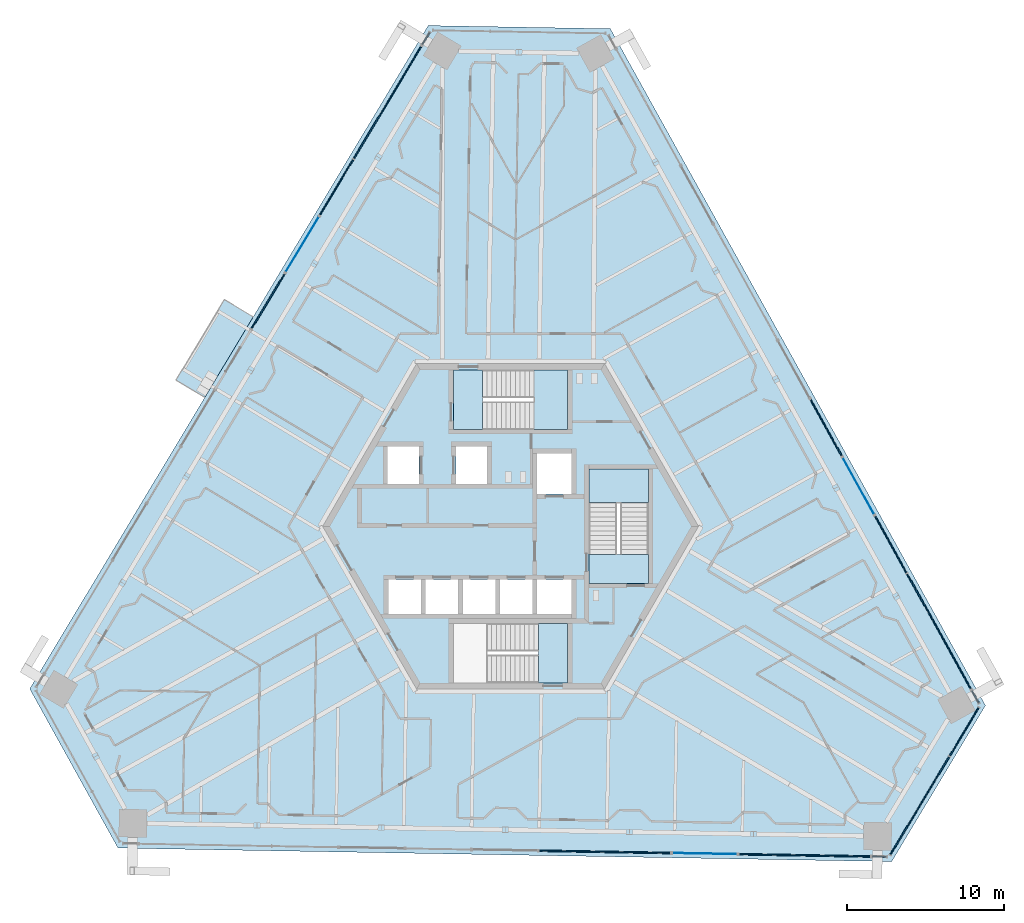
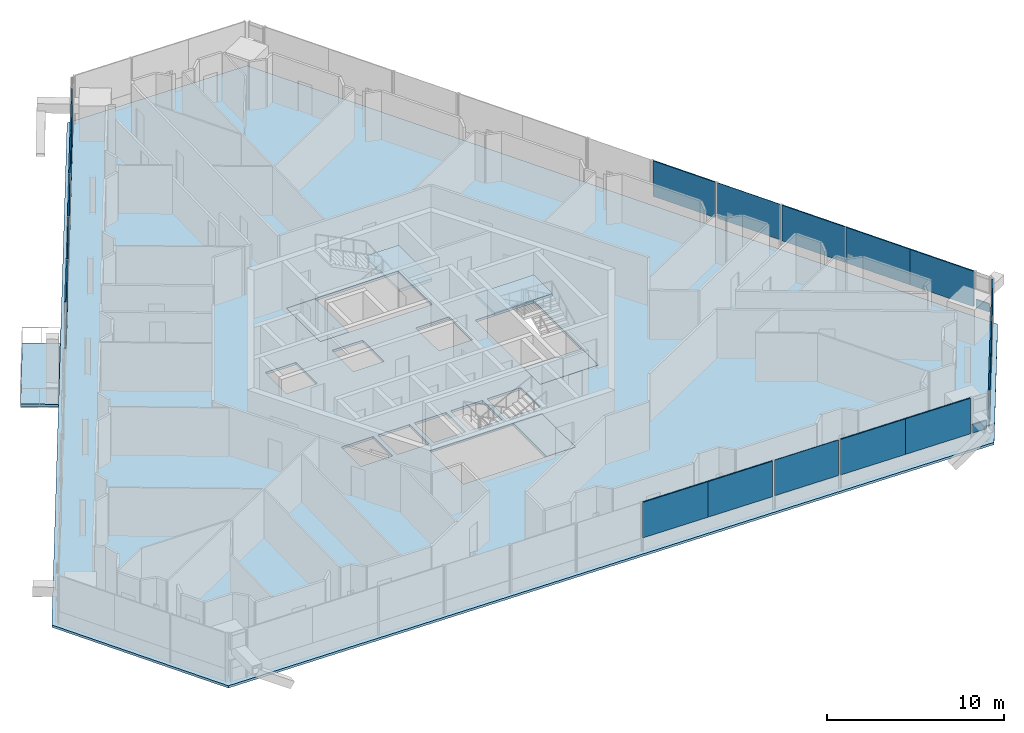
# One storey, part 12 of 24: 21 plates, 7 slabs, 16 elements without a shape of their own.
"""IFC4 building model written with IfcOpenShell, lengths in metres."""

from ifc_helpers import new_model, si_unit, direction, frame, origin, origin_2d, place, context, subcontext, project, spatial, polyline, rectangle, outline, extrude, source, transform, mapped, material, layer, layer_set, type_object, element, aggregate, save


model = new_model("IFC4")

# Units and contexts
model_context = context("Model", 3, precision=1e-05, world=origin(), true_north=direction((0.0, 1.0)))
body_context = subcontext(model_context, "Body", "Model", "MODEL_VIEW")
ifc_project = project(units=[si_unit("LENGTHUNIT", "METRE"), si_unit("AREAUNIT", "SQUARE_METRE"), si_unit("VOLUMEUNIT", "CUBIC_METRE"), si_unit("PLANEANGLEUNIT", "RADIAN"), si_unit("MASSUNIT", "GRAM", prefix="KILO")], contexts=[model_context])

# Site, building, storey
site_placement = place(None, origin())
site = spatial("IfcSite", under=ifc_project, at=site_placement, CompositionType="ELEMENT")
building_placement = place(site_placement, origin())
building = spatial("IfcBuilding", under=site, at=building_placement, Name="Triune Harvest Tower", CompositionType="ELEMENT")
storey_placement = place(building_placement, frame((0.0, 0.0, 212.300048828125)))
storey = spatial("IfcBuildingStorey", under=building, at=storey_placement, Name="L55", CompositionType="ELEMENT", Elevation=212.300048828125)

# Slab
ifc_material_1 = material(Name="Concrete 40 MPa", Category="concrete")
ifc_layer_1 = layer(ifc_material_1, 0.159912109375)
ifc_layer_set_1 = layer_set([ifc_layer_1], Name="Concrete 40 MPa")
slab_type_1 = type_object("IfcSlabType", Name="BA-1 balcony slab 160", PredefinedType="FLOOR", material=ifc_layer_set_1)
slab_1_placement = place(storey_placement, frame((0.0, 0.0, -0.16015625)))
element("IfcSlab", 1, at=slab_1_placement, inside=storey, type_object=slab_type_1, Name="Balcony slab B5-F3 L55.6", PredefinedType="FLOOR", context=body_context, shape_type="SweptSolid", body=[
    extrude(outline(polyline([(-16.435791015625, 13.37548828125), (-19.52587890625, 8.232421875), (-21.3671875, 9.338623046875), (-18.27685546875, 14.481689453125), (-16.435791015625, 13.37548828125)])), origin(), (0.0, 0.0, 1.0), 0.16015625),
])

# Curtain wall, plate
ifc_material_2 = material(Name="Aluminium bronze anodised", Category="aluminium")
curtain_wall_type_1 = type_object("IfcCurtainWallType", Name="CW-7 Tower stick curtain wall with insulated spandrel infill", PredefinedType="NOTDEFINED", material=ifc_material_2)
curtain_wall_1_placement = place(storey_placement, origin())
curtain_wall_1 = element("IfcCurtainWall", 2, at=curtain_wall_1_placement, inside=storey, type_object=curtain_wall_type_1, Name="CW-7 B5-F1 L55 run 201")
ifc_material_3 = material(Name="Insulated spandrel panel, bronze aluminium pan", Category="aluminium")
ifc_layer_2 = layer(ifc_material_3, 0.080078125)
ifc_layer_set_2 = layer_set([ifc_layer_2], Name="Insulated spandrel panel, bronze aluminium pan")
plate_type_1 = type_object("IfcPlateType", Name="SP-1 insulated spandrel panel 80", PredefinedType="CURTAIN_PANEL", material=ifc_layer_set_2)
plate_1_placement = place(storey_placement, frame((26.343017578125, -4.874267578125, 0.89990234375), z_axis=(0.0, 0.0, 1.0), x_axis=(-0.484807741705, 0.874620748429, 0.0)))
plate_1 = element("IfcPlate", 3, at=plate_1_placement, type_object=plate_type_1, Name="CW-7 panel B5-F1 201.2", PredefinedType="CURTAIN_PANEL", context=body_context, shape_type="SweptSolid", body=[
    extrude(rectangle(XDim=4.21630859375, YDim=0.080078125, at=origin_2d()), origin(), (0.0, 0.0, 1.0), 2.449951171875),
])

# Curtain wall, plates
ifc_material_4 = material(Name="Aluminium bronze anodised", Category="aluminium")
curtain_wall_type_2 = type_object("IfcCurtainWallType", Name="CW-10 Balcony window wall with insulated spandrel infill", PredefinedType="NOTDEFINED", material=ifc_material_4)
curtain_wall_2_placement = place(storey_placement, origin())
curtain_wall_2 = element("IfcCurtainWall", 4, at=curtain_wall_2_placement, inside=storey, type_object=curtain_wall_type_2, Name="CW-10 B5-F3 L55 run 201")
plate_2_placement = place(storey_placement, frame((-8.934326171875, 25.27734375, 0.14990234375), z_axis=(0.0, 0.0, 1.0), x_axis=(-0.515031791203, -0.857171076303, 0.0)))
plate_2 = element("IfcPlate", 5, at=plate_2_placement, type_object=plate_type_1, Name="CW-10 panel B5-F3 201.2", PredefinedType="CURTAIN_PANEL", context=body_context, shape_type="SweptSolid", body=[
    extrude(rectangle(XDim=4.19580078125, YDim=0.080078125, at=origin_2d()), origin(), (0.0, 0.0, 1.0), 3.199951171875),
])
plate_3_placement = place(storey_placement, frame((-11.114501953125, 21.648681640625, 0.14990234375), z_axis=(0.0, 0.0, 1.0), x_axis=(-0.515031791203, -0.857171076303, 0.0)))
plate_3 = element("IfcPlate", 6, at=plate_3_placement, type_object=plate_type_1, Name="CW-10 panel B5-F3 201.3", PredefinedType="CURTAIN_PANEL", context=body_context, shape_type="SweptSolid", body=[
    extrude(rectangle(XDim=4.120849609375, YDim=0.080078125, at=origin_2d()), origin(), (0.0, 0.0, 1.0), 3.199951171875),
])

# Slab
ifc_material_5 = material(Name="Concrete 40 MPa", Category="concrete")
ifc_layer_3 = layer(ifc_material_5, 0.159912109375)
ifc_layer_set_3 = layer_set([ifc_layer_3], Name="Concrete 40 MPa")
slab_type_2 = type_object("IfcSlabType", Name="SL-1 Composite floor slab 160", PredefinedType="FLOOR", material=ifc_layer_set_3)
shared_shape_1 = source(origin(), body_context, "Body", "SweptSolid", [
    extrude(outline(polyline([(30.324951171875, -11.439208984375), (6.368896484375, 31.77880859375), (-5.256103515625, 31.981689453125), (-30.705810546875, -10.373779296875), (-25.069091796875, -20.542724609375), (24.3369140625, -21.405029296875), (30.324951171875, -11.439208984375)]), holes=[polyline([(-5.72509765625, -5.590087890625), (-5.72509765625, -3.389892578125), (-7.800048828125, -3.389892578125), (-7.800048828125, -5.590087890625), (-5.72509765625, -5.590087890625)]), polyline([(-3.35009765625, -5.590087890625), (-3.35009765625, -3.389892578125), (-5.425048828125, -3.389892578125), (-5.425048828125, -5.590087890625), (-3.35009765625, -5.590087890625)]), polyline([(-0.97509765625, -5.590087890625), (-0.97509765625, -3.389892578125), (-3.050048828125, -3.389892578125), (-3.050048828125, -5.590087890625), (-0.97509765625, -5.590087890625)]), polyline([(1.39990234375, -5.590087890625), (1.39990234375, -3.389892578125), (-0.675048828125, -3.389892578125), (-0.675048828125, -5.590087890625), (1.39990234375, -5.590087890625)]), polyline([(3.89990234375, 2.06005859375), (3.89990234375, 4.659912109375), (1.699951171875, 4.659912109375), (1.699951171875, 2.06005859375), (3.89990234375, 2.06005859375)]), polyline([(3.89990234375, -5.590087890625), (3.89990234375, -3.389892578125), (1.699951171875, -3.389892578125), (1.699951171875, -5.590087890625), (3.89990234375, -5.590087890625)]), polyline([(-5.85009765625, 2.7099609375), (-5.85009765625, 5.110107421875), (-7.85009765625, 5.110107421875), (-7.85009765625, 2.7099609375), (-5.85009765625, 2.7099609375)]), polyline([(-1.5, 2.7099609375), (-1.5, 5.110107421875), (-3.5, 5.110107421875), (-3.5, 2.7099609375), (-1.5, 2.7099609375)]), polyline([(3.64990234375, 6.18994140625), (3.64990234375, 9.989990234375), (-3.64990234375, 9.989990234375), (-3.64990234375, 6.18994140625), (3.64990234375, 6.18994140625)]), polyline([(3.64990234375, -9.989990234375), (3.64990234375, -6.18994140625), (-3.64990234375, -6.18994140625), (-3.64990234375, -9.989990234375), (3.64990234375, -9.989990234375)]), polyline([(8.800048828125, -3.64990234375), (8.800048828125, 3.64990234375), (5.0, 3.64990234375), (5.0, -3.64990234375), (8.800048828125, -3.64990234375)])]), origin(), (0.0, 0.0, 1.0), 0.16015625),
])
slab_2_placement = place(storey_placement, frame((0.0, 0.0, -0.16015625)))
element("IfcSlab", 7, at=slab_2_placement, inside=storey, type_object=slab_type_2, Name="slab/L55/1", PredefinedType="FLOOR", context=body_context, shape_type="MappedRepresentation", body=[
    mapped(shared_shape_1, transform((0.0, 0.0, 0.0), scale=1.0)),
])

# Stair, slabs
ifc_material_6 = material(Name="Concrete 40 MPa", Category="concrete")
stair_type = type_object("IfcStairType", Name="Exit stair 1800 half turn", PredefinedType="HALF_TURN_STAIR", material=ifc_material_6)
stair_1_placement = place(storey_placement, origin())
stair_1 = element("IfcStair", 8, at=stair_1_placement, inside=storey, type_object=stair_type, Name="Exit stair north", PredefinedType="HALF_TURN_STAIR")
ifc_material_7 = material(Name="Concrete 40 MPa", Category="concrete")
ifc_layer_4 = layer(ifc_material_7, 0.199951171875)
ifc_layer_set_4 = layer_set([ifc_layer_4], Name="Concrete 40 MPa")
slab_type_3 = type_object("IfcSlabType", Name="Stair landing 200", PredefinedType="LANDING", material=ifc_layer_set_4)
shared_shape_2 = source(origin(), body_context, "Body", "SweptSolid", [
    extrude(outline(polyline([(-3.64990234375, 6.18994140625), (-1.780029296875, 6.18994140625), (-1.780029296875, 9.989990234375), (-3.64990234375, 9.989990234375), (-3.64990234375, 6.18994140625)])), origin(), (0.0, 0.0, 1.0), 0.199951171875),
])
slab_3_placement = place(storey_placement, frame((0.0, 0.0, -0.199951171875)))
slab_3 = element("IfcSlab", 9, at=slab_3_placement, type_object=slab_type_3, Name="ST-1 landing 1", PredefinedType="LANDING", context=body_context, shape_type="MappedRepresentation", body=[
    mapped(shared_shape_2, transform((0.0, 0.0, 0.0), scale=1.0)),
])
shared_shape_3 = source(origin(), body_context, "Body", "SweptSolid", [
    extrude(outline(polyline([(1.510009765625, 6.18994140625), (3.64990234375, 6.18994140625), (3.64990234375, 9.989990234375), (1.510009765625, 9.989990234375), (1.510009765625, 6.18994140625)])), origin(), (0.0, 0.0, 1.0), 0.2001953125),
])
slab_4_placement = place(storey_placement, frame((0.0, 0.0, 1.599853515625)))
slab_4 = element("IfcSlab", 10, at=slab_4_placement, type_object=slab_type_3, Name="ST-1 landing 2", PredefinedType="LANDING", context=body_context, shape_type="MappedRepresentation", body=[
    mapped(shared_shape_3, transform((0.0, 0.0, 0.0), scale=1.0)),
])
aggregate(stair_1, [slab_3, slab_4])

# Stair, slab
stair_2_placement = place(storey_placement, origin())
stair_2 = element("IfcStair", 11, at=stair_2_placement, inside=storey, type_object=stair_type, Name="Exit stair south", PredefinedType="HALF_TURN_STAIR")
shared_shape_4 = source(origin(), body_context, "Body", "SweptSolid", [
    extrude(outline(polyline([(3.64990234375, -6.18994140625), (1.780029296875, -6.18994140625), (1.780029296875, -9.989990234375), (3.64990234375, -9.989990234375), (3.64990234375, -6.18994140625)])), origin(), (0.0, 0.0, 1.0), 0.199951171875),
])
slab_5_placement = place(storey_placement, frame((0.0, 0.0, -0.199951171875)))
slab_5 = element("IfcSlab", 12, at=slab_5_placement, type_object=slab_type_3, Name="ST-2 landing 1", PredefinedType="LANDING", context=body_context, shape_type="MappedRepresentation", body=[
    mapped(shared_shape_4, transform((0.0, 0.0, 0.0), scale=1.0)),
])
aggregate(stair_2, [slab_5])

# Stair, slabs
stair_3_placement = place(storey_placement, origin())
stair_3 = element("IfcStair", 13, at=stair_3_placement, inside=storey, type_object=stair_type, Name="Exit stair east", PredefinedType="HALF_TURN_STAIR")
shared_shape_5 = source(origin(), body_context, "Body", "SweptSolid", [
    extrude(outline(polyline([(8.800048828125, -3.64990234375), (8.800048828125, -1.780029296875), (5.0, -1.780029296875), (5.0, -3.64990234375), (8.800048828125, -3.64990234375)])), origin(), (0.0, 0.0, 1.0), 0.199951171875),
])
slab_6_placement = place(storey_placement, frame((0.0, 0.0, -0.199951171875)))
slab_6 = element("IfcSlab", 14, at=slab_6_placement, type_object=slab_type_3, Name="ST-3 landing 1", PredefinedType="LANDING", context=body_context, shape_type="MappedRepresentation", body=[
    mapped(shared_shape_5, transform((0.0, 0.0, 0.0), scale=1.0)),
])
shared_shape_6 = source(origin(), body_context, "Body", "SweptSolid", [
    extrude(outline(polyline([(8.800048828125, 1.510009765625), (8.800048828125, 3.64990234375), (5.0, 3.64990234375), (5.0, 1.510009765625), (8.800048828125, 1.510009765625)])), origin(), (0.0, 0.0, 1.0), 0.2001953125),
])
slab_7_placement = place(storey_placement, frame((0.0, 0.0, 1.599853515625)))
slab_7 = element("IfcSlab", 15, at=slab_7_placement, type_object=slab_type_3, Name="ST-3 landing 2", PredefinedType="LANDING", context=body_context, shape_type="MappedRepresentation", body=[
    mapped(shared_shape_6, transform((0.0, 0.0, 0.0), scale=1.0)),
])
aggregate(stair_3, [slab_6, slab_7])

# Curtain wall, plate
curtain_wall_3_placement = place(storey_placement, origin())
curtain_wall_3 = element("IfcCurtainWall", 16, at=curtain_wall_3_placement, inside=storey, type_object=curtain_wall_type_1, Name="CW-7 B5-F1 L55 run 1")
shared_shape_7 = source(origin(), body_context, "Body", "SweptSolid", [
    extrude(rectangle(XDim=0.896728515625, YDim=0.080078125, at=origin_2d()), origin(), (0.0, 0.0, 1.0), 0.56494140625),
])
plate_4_placement = place(storey_placement, frame((29.68115234375, -10.896484375, 0.89990234375), z_axis=(0.0, 0.0, 1.0), x_axis=(-0.484791083337, 0.874629982059, 0.0)))
plate_4 = element("IfcPlate", 17, at=plate_4_placement, type_object=plate_type_1, Name="CW-7 panel B5-F1 1.1", PredefinedType="CURTAIN_PANEL", context=body_context, shape_type="MappedRepresentation", body=[
    mapped(shared_shape_7, transform((0.0, 0.0, 0.0), scale=1.0)),
])
aggregate(curtain_wall_3, [plate_4])

# Plate
shared_shape_8 = source(origin(), body_context, "Body", "SweptSolid", [
    extrude(rectangle(XDim=4.178955078125, YDim=0.080078125, at=origin_2d()), origin(), (0.0, 0.0, 1.0), 2.449951171875),
])
plate_5_placement = place(storey_placement, frame((28.378173828125, -8.545654296875, 0.89990234375), z_axis=(0.0, 0.0, 1.0), x_axis=(-0.484807741705, 0.874620748429, 0.0)))
plate_5 = element("IfcPlate", 18, at=plate_5_placement, type_object=plate_type_1, Name="CW-7 panel B5-F1 201.1", PredefinedType="CURTAIN_PANEL", context=body_context, shape_type="MappedRepresentation", body=[
    mapped(shared_shape_8, transform((0.0, 0.0, 0.0), scale=1.0)),
])

# Curtain wall, plates
curtain_wall_4_placement = place(storey_placement, origin())
curtain_wall_4 = element("IfcCurtainWall", 19, at=curtain_wall_4_placement, inside=storey, type_object=curtain_wall_type_1, Name="CW-7 B5-F5 L55 run 4201")
plate_6_placement = place(storey_placement, frame((3.929931640625, -20.748779296875, 0.89990234375), z_axis=(0.0, 0.0, 1.0), x_axis=(0.999847660811, -0.017454373979, 0.0)))
plate_6 = element("IfcPlate", 20, at=plate_6_placement, type_object=plate_type_1, Name="CW-7 panel B5-F5 4201.1", PredefinedType="CURTAIN_PANEL", context=body_context, shape_type="MappedRepresentation", body=[
    mapped(shared_shape_8, transform((0.0, 0.0, 0.0), scale=1.0)),
])
plate_7_placement = place(storey_placement, frame((8.108154296875, -20.82177734375, 0.89990234375), z_axis=(0.0, 0.0, 1.0), x_axis=(0.999847660811, -0.017454373979, 0.0)))
plate_7 = element("IfcPlate", 21, at=plate_7_placement, type_object=plate_type_1, Name="CW-7 panel B5-F5 4201.2", PredefinedType="CURTAIN_PANEL", context=body_context, shape_type="MappedRepresentation", body=[
    mapped(shared_shape_8, transform((0.0, 0.0, 0.0), scale=1.0)),
])
aggregate(curtain_wall_4, [plate_6, plate_7])

curtain_wall_5_placement = place(storey_placement, origin())
curtain_wall_5 = element("IfcCurtainWall", 22, at=curtain_wall_5_placement, inside=storey, type_object=curtain_wall_type_1, Name="CW-7 B5-F5 L55 run 6201")
plate_8_placement = place(storey_placement, frame((16.689697265625, -20.9716796875, 0.89990234375), z_axis=(0.0, 0.0, 1.0), x_axis=(0.999847660811, -0.017454373979, 0.0)))
plate_8 = element("IfcPlate", 23, at=plate_8_placement, type_object=plate_type_1, Name="CW-7 panel B5-F5 6201.1", PredefinedType="CURTAIN_PANEL", context=body_context, shape_type="MappedRepresentation", body=[
    mapped(shared_shape_8, transform((0.0, 0.0, 0.0), scale=1.0)),
])
plate_9_placement = place(storey_placement, frame((20.8681640625, -21.04443359375, 0.89990234375), z_axis=(0.0, 0.0, 1.0), x_axis=(0.999847660811, -0.017454373979, 0.0)))
plate_9 = element("IfcPlate", 24, at=plate_9_placement, type_object=plate_type_1, Name="CW-7 panel B5-F5 6201.2", PredefinedType="CURTAIN_PANEL", context=body_context, shape_type="MappedRepresentation", body=[
    mapped(shared_shape_8, transform((0.0, 0.0, 0.0), scale=1.0)),
])
aggregate(curtain_wall_5, [plate_8, plate_9])

# Plate
shared_shape_9 = source(origin(), body_context, "Body", "SweptSolid", [
    extrude(rectangle(XDim=4.141357421875, YDim=0.080078125, at=origin_2d()), origin(), (0.0, 0.0, 1.0), 2.449951171875),
])
plate_10_placement = place(storey_placement, frame((24.28076171875, -1.15380859375, 0.89990234375), z_axis=(0.0, 0.0, 1.0), x_axis=(-0.484807741705, 0.874620748429, 0.0)))
plate_10 = element("IfcPlate", 25, at=plate_10_placement, type_object=plate_type_1, Name="CW-7 panel B5-F1 201.3", PredefinedType="CURTAIN_PANEL", context=body_context, shape_type="MappedRepresentation", body=[
    mapped(shared_shape_9, transform((0.0, 0.0, 0.0), scale=1.0)),
])

aggregate(curtain_wall_1, [plate_5, plate_1, plate_10])

# Curtain wall, plate
ifc_material_8 = material(Name="Aluminium bronze anodised", Category="aluminium")
curtain_wall_type_3 = type_object("IfcCurtainWallType", Name="CW-1 Tower stick curtain wall", PredefinedType="NOTDEFINED", material=ifc_material_8)
curtain_wall_6_placement = place(storey_placement, origin())
curtain_wall_6 = element("IfcCurtainWall", 26, at=curtain_wall_6_placement, inside=storey, type_object=curtain_wall_type_3, Name="CW-1 B5-F1 L55 run 1201")
ifc_material_9 = material(Name="Glass", Category="glass")
ifc_layer_5 = layer(ifc_material_9, 0.031982421875)
ifc_layer_set_5 = layer_set([ifc_layer_5], Name="Glass")
plate_type_2 = type_object("IfcPlateType", Name="GL-1 panel 32", PredefinedType="CURTAIN_PANEL", material=ifc_layer_set_5)
shared_shape_10 = source(origin(), body_context, "Body", "SweptSolid", [
    extrude(rectangle(XDim=4.10400390625, YDim=0.031982421875, at=origin_2d()), origin(), (0.0, 0.0, 1.0), 2.449951171875),
])
plate_11_placement = place(storey_placement, frame((22.209228515625, 2.583251953125, 0.89990234375), z_axis=(0.0, 0.0, 1.0), x_axis=(-0.484816407292, 0.874615944984, 0.0)))
plate_11 = element("IfcPlate", 27, at=plate_11_placement, type_object=plate_type_2, Name="CW-1 panel B5-F1 1201.1", PredefinedType="CURTAIN_PANEL", context=body_context, shape_type="MappedRepresentation", body=[
    mapped(shared_shape_10, transform((0.0, 0.0, 0.0), scale=1.0)),
])
aggregate(curtain_wall_6, [plate_11])

curtain_wall_7_placement = place(storey_placement, origin())
curtain_wall_7 = element("IfcCurtainWall", 28, at=curtain_wall_7_placement, inside=storey, type_object=curtain_wall_type_3, Name="CW-1 B5-F5 L55 run 5201")
plate_12_placement = place(storey_placement, frame((12.39892578125, -20.896728515625, 0.89990234375), z_axis=(0.0, 0.0, 1.0), x_axis=(0.999847865866, -0.017442623768, 0.0)))
plate_12 = element("IfcPlate", 29, at=plate_12_placement, type_object=plate_type_2, Name="CW-1 panel B5-F5 5201.1", PredefinedType="CURTAIN_PANEL", context=body_context, shape_type="MappedRepresentation", body=[
    mapped(shared_shape_10, transform((0.0, 0.0, 0.0), scale=1.0)),
])
aggregate(curtain_wall_7, [plate_12])

curtain_wall_8_placement = place(storey_placement, origin())
curtain_wall_8 = element("IfcCurtainWall", 30, at=curtain_wall_8_placement, inside=storey, type_object=curtain_wall_type_1, Name="CW-7 B5-F1 L55 run 2201")
shared_shape_11 = source(origin(), body_context, "Body", "SweptSolid", [
    extrude(rectangle(XDim=4.10400390625, YDim=0.080078125, at=origin_2d()), origin(), (0.0, 0.0, 1.0), 2.449951171875),
])
plate_13_placement = place(storey_placement, frame((20.14697265625, 6.3037109375, 0.89990234375), z_axis=(0.0, 0.0, 1.0), x_axis=(-0.484798424921, 0.874625912716, 0.0)))
plate_13 = element("IfcPlate", 31, at=plate_13_placement, type_object=plate_type_1, Name="CW-7 panel B5-F1 2201.1", PredefinedType="CURTAIN_PANEL", context=body_context, shape_type="MappedRepresentation", body=[
    mapped(shared_shape_11, transform((0.0, 0.0, 0.0), scale=1.0)),
])
aggregate(curtain_wall_8, [plate_13])

curtain_wall_9_placement = place(storey_placement, origin())
curtain_wall_9 = element("IfcCurtainWall", 32, at=curtain_wall_9_placement, inside=storey, type_object=curtain_wall_type_1, Name="CW-7 B5-F5 L55 run 301")
shared_shape_12 = source(origin(), body_context, "Body", "SweptSolid", [
    extrude(rectangle(XDim=0.89697265625, YDim=0.080078125, at=origin_2d()), origin(), (0.0, 0.0, 1.0), 0.56494140625),
])
plate_14_placement = place(storey_placement, frame((23.5556640625, -21.09130859375, 0.89990234375), z_axis=(0.0, 0.0, 1.0), x_axis=(0.999848863324, -0.017385353313, 0.0)))
plate_14 = element("IfcPlate", 33, at=plate_14_placement, type_object=plate_type_1, Name="CW-7 panel B5-F5 301.1", PredefinedType="CURTAIN_PANEL", context=body_context, shape_type="MappedRepresentation", body=[
    mapped(shared_shape_12, transform((0.0, 0.0, 0.0), scale=1.0)),
])
aggregate(curtain_wall_9, [plate_14])

# Curtain wall, plates
curtain_wall_10_placement = place(storey_placement, origin())
curtain_wall_10 = element("IfcCurtainWall", 34, at=curtain_wall_10_placement, inside=storey, type_object=curtain_wall_type_1, Name="CW-7 B5-F6 L55 run 1")
shared_shape_13 = source(origin(), body_context, "Body", "SweptSolid", [
    extrude(rectangle(XDim=3.625, YDim=0.080078125, at=origin_2d()), origin(), (0.0, 0.0, 1.0), 2.449951171875),
])
plate_15_placement = place(storey_placement, frame((25.1875, -19.406982421875, 0.89990234375), z_axis=(0.0, 0.0, 1.0), x_axis=(0.515036685882, 0.857168135313, 0.0)))
plate_15 = element("IfcPlate", 35, at=plate_15_placement, type_object=plate_type_1, Name="CW-7 panel B5-F6 1.1", PredefinedType="CURTAIN_PANEL", context=body_context, shape_type="MappedRepresentation", body=[
    mapped(shared_shape_13, transform((0.0, 0.0, 0.0), scale=1.0)),
])
shared_shape_14 = source(origin(), body_context, "Body", "SweptSolid", [
    extrude(rectangle(XDim=3.66259765625, YDim=0.080078125, at=origin_2d()), origin(), (0.0, 0.0, 1.0), 2.449951171875),
])
plate_16_placement = place(storey_placement, frame((27.064208984375, -16.28369140625, 0.89990234375), z_axis=(0.0, 0.0, 1.0), x_axis=(0.515036685882, 0.857168135313, 0.0)))
plate_16 = element("IfcPlate", 36, at=plate_16_placement, type_object=plate_type_1, Name="CW-7 panel B5-F6 1.2", PredefinedType="CURTAIN_PANEL", context=body_context, shape_type="MappedRepresentation", body=[
    mapped(shared_shape_14, transform((0.0, 0.0, 0.0), scale=1.0)),
])
shared_shape_15 = source(origin(), body_context, "Body", "SweptSolid", [
    extrude(rectangle(XDim=3.587646484375, YDim=0.080078125, at=origin_2d()), origin(), (0.0, 0.0, 1.0), 2.449951171875),
])
plate_17_placement = place(storey_placement, frame((28.9697265625, -13.112060546875, 0.89990234375), z_axis=(0.0, 0.0, 1.0), x_axis=(0.515036685882, 0.857168135313, 0.0)))
plate_17 = element("IfcPlate", 37, at=plate_17_placement, type_object=plate_type_1, Name="CW-7 panel B5-F6 1.3", PredefinedType="CURTAIN_PANEL", context=body_context, shape_type="MappedRepresentation", body=[
    mapped(shared_shape_15, transform((0.0, 0.0, 0.0), scale=1.0)),
])
aggregate(curtain_wall_10, [plate_15, plate_16, plate_17])

# Curtain wall, plate
curtain_wall_11_placement = place(storey_placement, origin())
curtain_wall_11 = element("IfcCurtainWall", 38, at=curtain_wall_11_placement, inside=storey, type_object=curtain_wall_type_2, Name="CW-10 B5-F3 L55 run 1")
shared_shape_16 = source(origin(), body_context, "Body", "SweptSolid", [
    extrude(rectangle(XDim=0.896728515625, YDim=0.080078125, at=origin_2d()), origin(), (0.0, 0.0, 1.0), 1.31494140625),
])
plate_18_placement = place(storey_placement, frame((-5.404052734375, 31.15283203125, 0.14990234375), z_axis=(0.0, 0.0, 1.0), x_axis=(-0.515001412204, -0.857189328811, 0.0)))
plate_18 = element("IfcPlate", 39, at=plate_18_placement, type_object=plate_type_1, Name="CW-10 panel B5-F3 1.1", PredefinedType="CURTAIN_PANEL", context=body_context, shape_type="MappedRepresentation", body=[
    mapped(shared_shape_16, transform((0.0, 0.0, 0.0), scale=1.0)),
])
aggregate(curtain_wall_11, [plate_18])

# Plate
shared_shape_17 = source(origin(), body_context, "Body", "SweptSolid", [
    extrude(rectangle(XDim=4.158203125, YDim=0.080078125, at=origin_2d()), origin(), (0.0, 0.0, 1.0), 3.199951171875),
])
plate_19_placement = place(storey_placement, frame((-6.782958984375, 28.85791015625, 0.14990234375), z_axis=(0.0, 0.0, 1.0), x_axis=(-0.515031791203, -0.857171076303, 0.0)))
plate_19 = element("IfcPlate", 40, at=plate_19_placement, type_object=plate_type_1, Name="CW-10 panel B5-F3 201.1", PredefinedType="CURTAIN_PANEL", context=body_context, shape_type="MappedRepresentation", body=[
    mapped(shared_shape_17, transform((0.0, 0.0, 0.0), scale=1.0)),
])

aggregate(curtain_wall_2, [plate_19, plate_2, plate_3])

# Curtain wall, plate
ifc_material_10 = material(Name="Aluminium bronze anodised", Category="aluminium")
curtain_wall_type_4 = type_object("IfcCurtainWallType", Name="CW-6 Balcony window wall", PredefinedType="NOTDEFINED", material=ifc_material_10)
curtain_wall_12_placement = place(storey_placement, origin())
curtain_wall_12 = element("IfcCurtainWall", 41, at=curtain_wall_12_placement, inside=storey, type_object=curtain_wall_type_4, Name="CW-6 B5-F3 L55 run 1201")
ifc_material_11 = material(Name="Glass", Category="glass")
ifc_layer_6 = layer(ifc_material_11, 0.030029296875)
ifc_layer_set_6 = layer_set([ifc_layer_6], Name="Glass")
plate_type_3 = type_object("IfcPlateType", Name="GL-6 panel 30", PredefinedType="CURTAIN_PANEL", material=ifc_layer_set_6)
shared_shape_18 = source(origin(), body_context, "Body", "SweptSolid", [
    extrude(rectangle(XDim=4.083251953125, YDim=0.030029296875, at=origin_2d()), origin(), (0.0, 0.0, 1.0), 3.199951171875),
])
plate_20_placement = place(storey_placement, frame((-13.304443359375, 18.004150390625, 0.14990234375), z_axis=(0.0, 0.0, 1.0), x_axis=(-0.515041052863, -0.857165511361, 0.0)))
plate_20 = element("IfcPlate", 42, at=plate_20_placement, type_object=plate_type_3, Name="CW-6 panel B5-F3 1201.1", PredefinedType="CURTAIN_PANEL", context=body_context, shape_type="MappedRepresentation", body=[
    mapped(shared_shape_18, transform((0.0, 0.0, 0.0), scale=1.0)),
])
aggregate(curtain_wall_12, [plate_20])

curtain_wall_13_placement = place(storey_placement, origin())
curtain_wall_13 = element("IfcCurtainWall", 43, at=curtain_wall_13_placement, inside=storey, type_object=curtain_wall_type_2, Name="CW-10 B5-F3 L55 run 2201")
shared_shape_19 = source(origin(), body_context, "Body", "SweptSolid", [
    extrude(rectangle(XDim=4.083251953125, YDim=0.080078125, at=origin_2d()), origin(), (0.0, 0.0, 1.0), 3.199951171875),
])
plate_21_placement = place(storey_placement, frame((-15.48486328125, 14.37548828125, 0.14990234375), z_axis=(0.0, 0.0, 1.0), x_axis=(-0.515041052863, -0.857165511361, 0.0)))
plate_21 = element("IfcPlate", 44, at=plate_21_placement, type_object=plate_type_1, Name="CW-10 panel B5-F3 2201.1", PredefinedType="CURTAIN_PANEL", context=body_context, shape_type="MappedRepresentation", body=[
    mapped(shared_shape_19, transform((0.0, 0.0, 0.0), scale=1.0)),
])
aggregate(curtain_wall_13, [plate_21])

save(model, "model.ifc")
